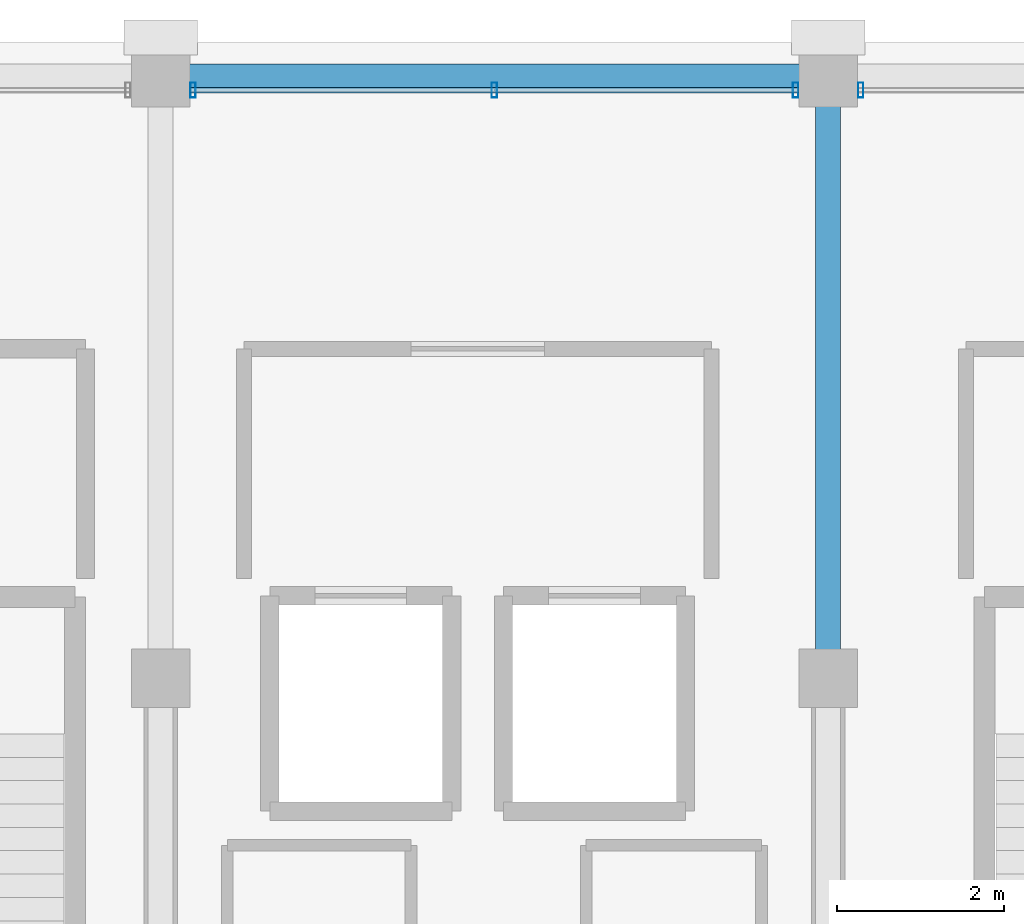
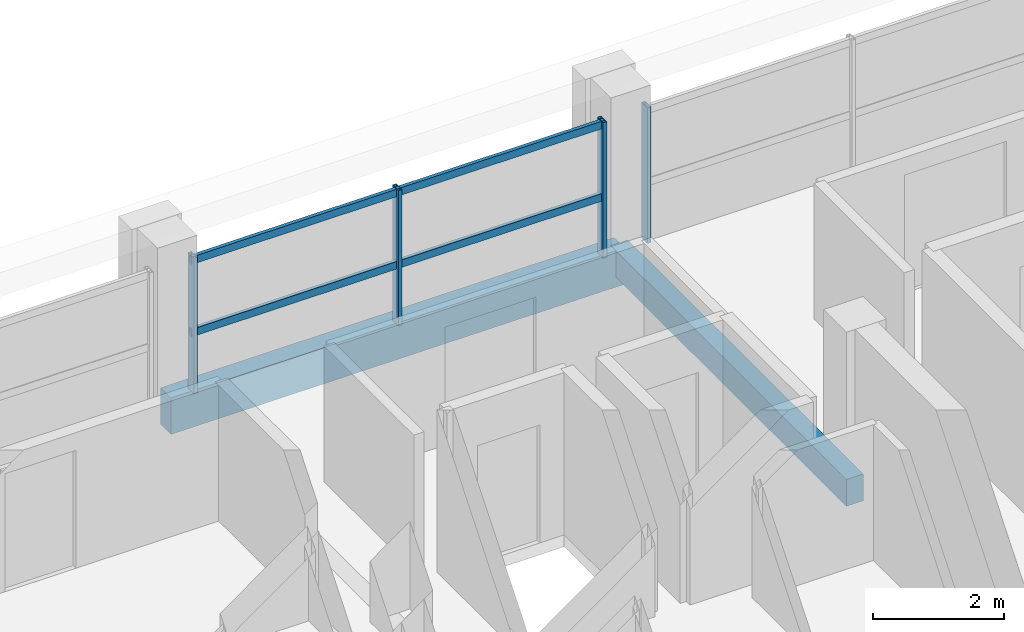
# One storey, part 12 of 21: 6 members, 2 beams, 2 elements without a shape of their own.
"""IFC4 building model written with IfcOpenShell, lengths in metres."""

from ifc_helpers import new_model, si_unit, direction, frame, origin, origin_2d, place, context, subcontext, project, spatial, rectangle, hollow_rectangle, extrude, material, material_profile, profile_set, type_object, element, aggregate, save


model = new_model("IFC4")

# Units and contexts
model_context = context("Model", 3, precision=1e-05, world=origin(), true_north=direction((0.0, 1.0)))
body_context = subcontext(model_context, "Body", "Model", "MODEL_VIEW")
ifc_project = project(units=[si_unit("LENGTHUNIT", "METRE"), si_unit("AREAUNIT", "SQUARE_METRE"), si_unit("VOLUMEUNIT", "CUBIC_METRE"), si_unit("PLANEANGLEUNIT", "RADIAN"), si_unit("MASSUNIT", "GRAM", prefix="KILO")], contexts=[model_context])

# Site, building, storey
site_placement = place(None, origin())
site = spatial("IfcSite", under=ifc_project, at=site_placement, CompositionType="ELEMENT")
building_placement = place(site_placement, origin())
building = spatial("IfcBuilding", under=site, at=building_placement, Name="Akrevak Sports Hall", CompositionType="ELEMENT")
storey_placement = place(building_placement, frame((0.0, 0.0, 53.550048828125)))
storey = spatial("IfcBuildingStorey", under=building, at=storey_placement, Name="L13", CompositionType="ELEMENT", Elevation=53.550048828125)

# Curtain wall, member
ifc_material_1 = material(Name="Anodized Bronze Aluminium & Low-E Glass", Category="aluminium")
curtain_wall_type = type_object("IfcCurtainWallType", Name="ARC-CW-TWR-68x30", PredefinedType="NOTDEFINED", material=ifc_material_1)
curtain_wall_1_placement = place(storey_placement, origin())
curtain_wall_1 = element("IfcCurtainWall", 1, at=curtain_wall_1_placement, inside=storey, type_object=curtain_wall_type, Name="Curtain Wall CW-L13-N20", PredefinedType="NOTDEFINED")
ifc_material_2 = material(Name="Anodized Bronze Aluminium", Category="aluminium")
ifc_material_profile_1 = material_profile(ifc_material_2, hollow_rectangle(XDim=0.06494140625, YDim=0.179931640625, WallThickness=0.00390625, at=origin_2d()), Name="CWM 65x180", Category="aluminium")
ifc_profile_set_1 = profile_set([ifc_material_profile_1], Name="Anodized Bronze Aluminium")
member_type_1 = type_object("IfcMemberType", Name="ARC-CWM-65x140", PredefinedType="MULLION", material=ifc_profile_set_1)
member_1_placement = place(storey_placement, frame((76.389892578125, 69.449951171875, 0.0), z_axis=(0.0, 0.0, 1.0), x_axis=(-1.0, 0.0, 0.0)))
member_1 = element("IfcMember", 2, at=member_1_placement, type_object=member_type_1, Name="Curtain Wall Mullion CW-L13-N20-M3", PredefinedType="MULLION", context=body_context, shape_type="SweptSolid", body=[
    extrude(hollow_rectangle(XDim=0.06494140625, YDim=0.179931640625, WallThickness=0.00390625, at=origin_2d()), origin(), (0.0, 0.0, 1.0), 2.530029296875),
])
aggregate(curtain_wall_1, [member_1])

# Curtain wall, members
curtain_wall_2_placement = place(storey_placement, origin())
curtain_wall_2 = element("IfcCurtainWall", 3, at=curtain_wall_2_placement, inside=storey, type_object=curtain_wall_type, Name="Curtain Wall CW-L13-N21", PredefinedType="NOTDEFINED")
member_2_placement = place(storey_placement, frame((75.610107421875, 69.449951171875, 0.0), z_axis=(0.0, 0.0, 1.0), x_axis=(-1.0, 0.0, 0.0)))
member_2 = element("IfcMember", 4, at=member_2_placement, type_object=member_type_1, Name="Curtain Wall Mullion CW-L13-N21-M1", PredefinedType="MULLION", context=body_context, shape_type="SweptSolid", body=[
    extrude(hollow_rectangle(XDim=0.06494140625, YDim=0.179931640625, WallThickness=0.00390625, at=origin_2d()), origin(), (0.0, 0.0, 1.0), 2.530029296875),
])
member_3_placement = place(storey_placement, frame((72.0, 69.449951171875, 0.0), z_axis=(0.0, 0.0, 1.0), x_axis=(-1.0, 0.0, 0.0)))
member_3 = element("IfcMember", 5, at=member_3_placement, type_object=member_type_1, Name="Curtain Wall Mullion CW-L13-N21-M2", PredefinedType="MULLION", context=body_context, shape_type="SweptSolid", body=[
    extrude(hollow_rectangle(XDim=0.06494140625, YDim=0.179931640625, WallThickness=0.00390625, at=origin_2d()), origin(), (0.0, 0.0, 1.0), 2.530029296875),
])
member_4_placement = place(storey_placement, frame((68.389892578125, 69.449951171875, 0.0), z_axis=(0.0, 0.0, 1.0), x_axis=(-1.0, 0.0, 0.0)))
member_4 = element("IfcMember", 6, at=member_4_placement, type_object=member_type_1, Name="Curtain Wall Mullion CW-L13-N21-M3", PredefinedType="MULLION", context=body_context, shape_type="SweptSolid", body=[
    extrude(hollow_rectangle(XDim=0.06494140625, YDim=0.179931640625, WallThickness=0.00390625, at=origin_2d()), origin(), (0.0, 0.0, 1.0), 2.530029296875),
])
ifc_material_profile_2 = material_profile(ifc_material_2, hollow_rectangle(XDim=0.06494140625, YDim=0.139892578125, WallThickness=0.00390625, at=origin_2d()), Name="CWT 65x140", Category="aluminium")
ifc_profile_set_2 = profile_set([ifc_material_profile_2], Name="Anodized Bronze Aluminium")
member_type_2 = type_object("IfcMemberType", Name="ARC-CWT-65x110", PredefinedType="USERDEFINED", material=ifc_profile_set_2)
member_5_placement = place(storey_placement, frame((75.64990234375, 69.449951171875, 1.099853515625), z_axis=(-1.0, 0.0, 0.0), x_axis=(0.0, -1.0, 0.0)))
member_5 = element("IfcMember", 7, at=member_5_placement, type_object=member_type_2, Name="Curtain Wall Transom CW-L13-N21-T1", ObjectType="TRANSOM", PredefinedType="USERDEFINED", context=body_context, shape_type="SweptSolid", body=[
    extrude(hollow_rectangle(XDim=0.06494140625, YDim=0.139892578125, WallThickness=0.00390625, at=origin_2d()), origin(), (0.0, 0.0, 1.0), 7.2998046875),
])
member_6_placement = place(storey_placement, frame((75.64990234375, 69.449951171875, 2.449951171875), z_axis=(-1.0, 0.0, 0.0), x_axis=(0.0, -1.0, 0.0)))
member_6 = element("IfcMember", 8, at=member_6_placement, type_object=member_type_2, Name="Curtain Wall Transom CW-L13-N21-T2", ObjectType="TRANSOM", PredefinedType="USERDEFINED", context=body_context, shape_type="SweptSolid", body=[
    extrude(hollow_rectangle(XDim=0.06494140625, YDim=0.139892578125, WallThickness=0.00390625, at=origin_2d()), origin(), (0.0, 0.0, 1.0), 7.2998046875),
])
aggregate(curtain_wall_2, [member_2, member_3, member_4, member_5, member_6])

# Beams
ifc_material_3 = material(Name="Concrete C40/50", Category="concrete")
ifc_material_profile_3 = material_profile(ifc_material_3, rectangle(XDim=0.300048828125, YDim=0.5, at=origin_2d()), Name="BM 300x500", Category="concrete")
ifc_profile_set_3 = profile_set([ifc_material_profile_3], Name="Concrete C40/50")
beam_type_1 = type_object("IfcBeamType", Name="STR-BM-RC300x500", PredefinedType="BEAM", material=ifc_profile_set_3)
beam_1_placement = place(storey_placement, frame((76.0, 62.39990234375, -0.25), z_axis=(0.0, 1.0, 0.0), x_axis=(-1.0, 0.0, 0.0)))
element("IfcBeam", 9, at=beam_1_placement, inside=storey, type_object=beam_type_1, Name="Girder 11/J-K (L13)", PredefinedType="BEAM", context=body_context, shape_type="SweptSolid", body=[
    extrude(rectangle(XDim=0.300048828125, YDim=0.5, at=origin_2d()), origin(), (0.0, 0.0, 1.0), 7.2001953125),
])
ifc_material_profile_4 = material_profile(ifc_material_3, rectangle(XDim=0.320068359375, YDim=0.679931640625, at=origin_2d()), Name="SPD 320x680", Category="concrete")
ifc_profile_set_4 = profile_set([ifc_material_profile_4], Name="Concrete C40/50")
beam_type_2 = type_object("IfcBeamType", Name="STR-SPD-RC320x680", PredefinedType="SPANDREL", material=ifc_profile_set_4)
beam_2_placement = place(storey_placement, frame((68.0, 69.60009765625, -0.340087890625), z_axis=(1.0, 0.0, 0.0), x_axis=(0.0, 1.0, 0.0)))
element("IfcBeam", 10, at=beam_2_placement, inside=storey, type_object=beam_type_2, Name="Girder K/10-11 (L13)", PredefinedType="SPANDREL", context=body_context, shape_type="SweptSolid", body=[
    extrude(rectangle(XDim=0.320068359375, YDim=0.679931640625, at=origin_2d()), origin(), (0.0, 0.0, 1.0), 8.0),
])

save(model, "model.ifc")
